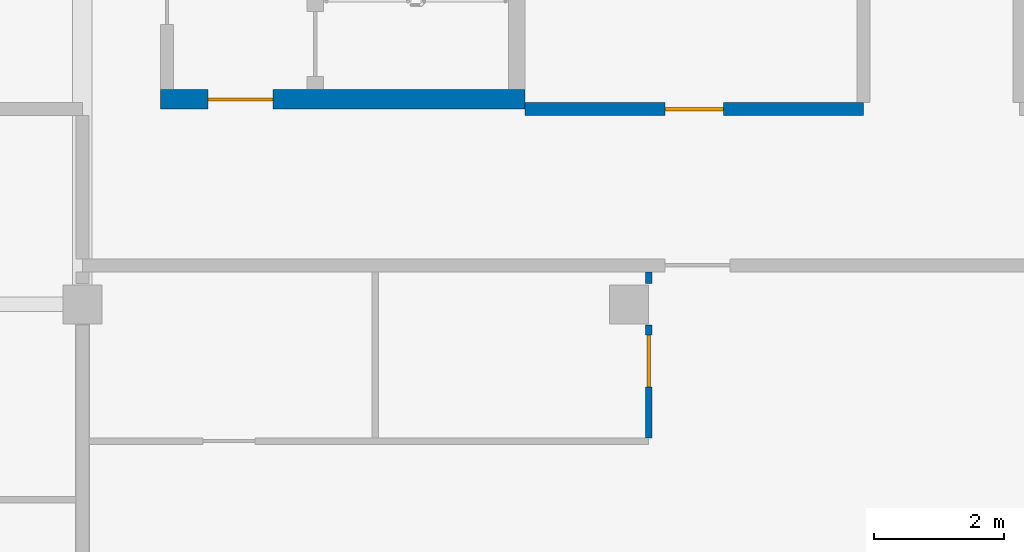
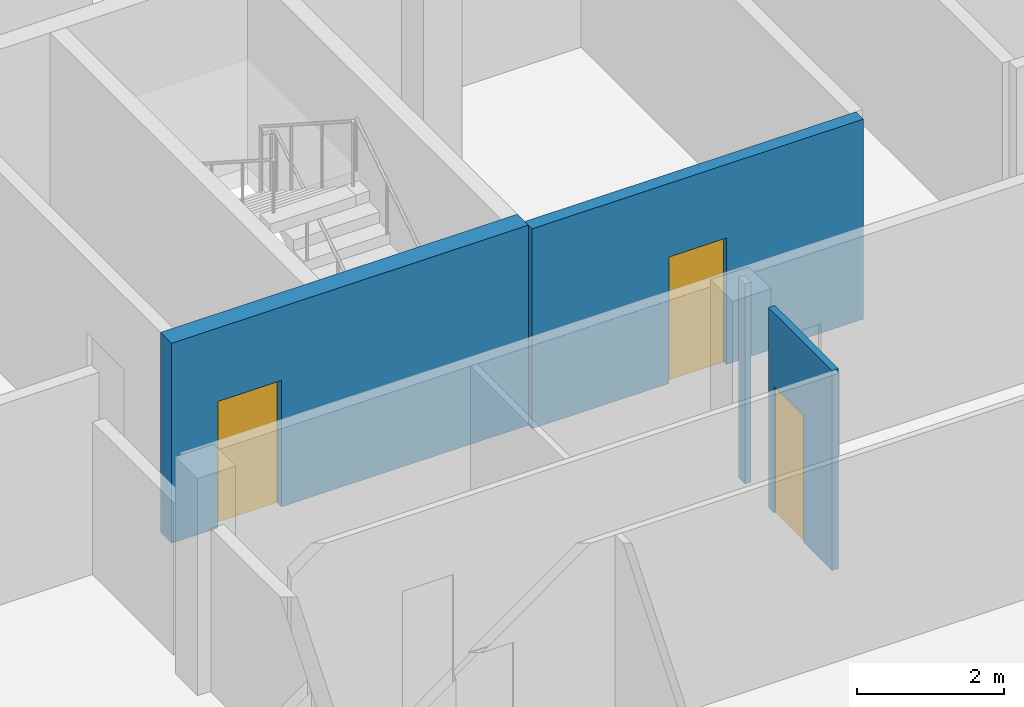
# One storey, part 18 of 28: 4 walls, 3 doors, 3 openings.
"""IFC4 building model written with IfcOpenShell, lengths in metres."""

import ifcopenshell
import ifcopenshell.guid

model = None  # the IFC model being written
_history = None  # IfcOwnerHistory: only IFC2X3 demands one
_inside = {}  # id of a spatial element -> (the spatial element, [elements in it])
_under = {}  # id of a project, library or spatial element -> (it, [spatial elements below it])
_declared = {}  # id of a project -> (the project, [libraries it declares])
_typed = {}  # id of a type object -> (the type object, [elements of that type])
_made_of = {}  # id of a material, layer set ... -> (it, [elements and type objects made of it])


def new_model(schema):
    """Start an empty IFC model of exactly this schema.

    Asked for "IFC4X3", IfcOpenShell would pick the latest addendum, in which some entities
    have other attributes; the version numbers below select the first issue.
    IFC2X3 requires an IfcOwnerHistory on every rooted entity: one is made here for all.
    """
    global model, _history
    if schema == "IFC4X3":
        model = ifcopenshell.file(schema_version=(4, 3, 0, 0))
    else:
        model = ifcopenshell.file(schema=schema)
    _inside.clear()
    _under.clear()
    _declared.clear()
    _typed.clear()
    _made_of.clear()
    _history = None
    if model.schema == "IFC2X3":
        org = make("IfcOrganization", Name="unknown")
        user = make(
            "IfcPersonAndOrganization",
            ThePerson=make("IfcPerson", FamilyName="unknown"),
            TheOrganization=org,
        )
        app = make(
            "IfcApplication",
            ApplicationDeveloper=org,
            Version="unknown",
            ApplicationFullName="unknown",
            ApplicationIdentifier="unknown",
        )
        _history = make(
            "IfcOwnerHistory",
            OwningUser=user,
            OwningApplication=app,
            ChangeAction="ADDED",
            CreationDate=0,
        )
    return model


def make(cls, **values):
    """One entity of the class cls with the attributes given. An attribute that is None is left unset."""
    return model.create_entity(
        cls, **{name: value for name, value in values.items() if value is not None}
    )


def rooted(cls, **values):
    """An entity with a GlobalId (a new one), such as an element, a storey or a relation."""
    return make(cls, GlobalId=ifcopenshell.guid.new(), OwnerHistory=_history, **values)


def si_unit(unit_type, name, prefix=None):
    """IfcSIUnit, for example si_unit("LENGTHUNIT", "METRE", prefix="MILLI")."""
    return make("IfcSIUnit", UnitType=unit_type, Prefix=prefix, Name=name)


def assignment(units):
    """IfcUnitAssignment: the units of a project."""
    return None if units is None else make("IfcUnitAssignment", Units=units)


def point(xyz):
    """IfcCartesianPoint."""
    return None if xyz is None else make("IfcCartesianPoint", Coordinates=xyz)


def direction(xyz):
    """IfcDirection."""
    return None if xyz is None else make("IfcDirection", DirectionRatios=xyz)


def frame(location, z_axis=None, x_axis=None):
    """IfcAxis2Placement3D, a coordinate frame: its origin and axes. An axis left out is left unset."""
    return make(
        "IfcAxis2Placement3D",
        Location=point(location),
        Axis=direction(z_axis),
        RefDirection=direction(x_axis),
    )


def frame_2d(location, x_axis=None):
    """IfcAxis2Placement2D, a coordinate frame in the plane: its origin and x axis."""
    return make(
        "IfcAxis2Placement2D", Location=point(location), RefDirection=direction(x_axis)
    )


def origin():
    """The frame at (0, 0, 0) with its axes left unset."""
    return frame((0.0, 0.0, 0.0))


def place(relative_to, where):
    """IfcLocalPlacement: puts the frame where relative to a parent placement (None: the world)."""
    return make(
        "IfcLocalPlacement", PlacementRelTo=relative_to, RelativePlacement=where
    )


def context(
    kind, dimensions, precision=None, world=None, true_north=None, identifier=None
):
    """IfcGeometricRepresentationContext, for example the 3D "Model" context."""
    return make(
        "IfcGeometricRepresentationContext",
        ContextIdentifier=identifier,
        ContextType=kind,
        CoordinateSpaceDimension=dimensions,
        Precision=precision,
        WorldCoordinateSystem=world,
        TrueNorth=true_north,
    )


def subcontext(parent, identifier, kind, view, scale=None):
    """IfcGeometricRepresentationSubContext, for example "Body" below "Model"."""
    return make(
        "IfcGeometricRepresentationSubContext",
        ContextIdentifier=identifier,
        ContextType=kind,
        ParentContext=parent,
        TargetScale=scale,
        TargetView=view,
    )


def project(units=None, contexts=None):
    """IfcProject with its units and contexts."""
    return rooted(
        "IfcProject",
        Name="project",
        RepresentationContexts=contexts,
        UnitsInContext=assignment(units),
    )


def spatial(cls, under=None, at=None, **own):
    """A site, building, storey or space (cls), placed at a placement, below another one or the project."""
    s = rooted(cls, ObjectPlacement=at, **own)
    if under is not None:
        _under.setdefault(under.id(), (under, []))[1].append(s)
    return s


def profile(cls, at=None, kind="AREA", **sizes):
    """A parametric profile (cls). Its sizes go by their IFC names, for example OverallWidth=200.0."""
    return make(cls, ProfileType=kind, Position=at, **sizes)


def rectangle(**sizes):
    """IfcRectangleProfileDef."""
    return profile("IfcRectangleProfileDef", **sizes)


def extrude(swept, where, along, depth):
    """IfcExtrudedAreaSolid: the profile swept, set in the frame where, extruded along a direction by depth."""
    return make(
        "IfcExtrudedAreaSolid",
        SweptArea=swept,
        Position=where,
        ExtrudedDirection=direction(along),
        Depth=depth,
    )


def shape(context_of_items, identifier, shape_type, items):
    """IfcShapeRepresentation: the items that make up one representation, for example the "Body"."""
    return make(
        "IfcShapeRepresentation",
        ContextOfItems=context_of_items,
        RepresentationIdentifier=identifier,
        RepresentationType=shape_type,
        Items=items,
    )


def material(Name=None, Category=None):
    """IfcMaterial."""
    return make("IfcMaterial", Name=Name, Category=Category)


def layer(
    of_material, thickness, ventilated=None, Name=None, Category=None, Priority=None
):
    """IfcMaterialLayer: one layer of a wall or slab, of a material (None: an air gap)."""
    return make(
        "IfcMaterialLayer",
        Material=of_material,
        LayerThickness=thickness,
        IsVentilated=ventilated,
        Name=Name,
        Category=Category,
        Priority=Priority,
    )


def layer_set(layers, Name=None):
    """IfcMaterialLayerSet."""
    return make("IfcMaterialLayerSet", MaterialLayers=layers, LayerSetName=Name)


def made_of(thing, what):
    """Note that an element or type object is made of a material, layer set ...; save() writes the relation."""
    if what is not None:
        _made_of.setdefault(what.id(), (what, []))[1].append(thing)
    return thing


def type_object(cls, material=None, **own):
    """A type object (cls), such as IfcWallType, which elements share."""
    return made_of(rooted(cls, **own), material)


def element(
    cls,
    number,
    at=None,
    inside=None,
    cuts=None,
    type_object=None,
    material=None,
    context=None,
    identifier="Body",
    shape_type=None,
    held_by="IfcProductDefinitionShape",
    body=None,
    shapes=None,
    **own,
):
    """One element of the class cls, such as IfcWall. Its Tag is "e" and its number.

    at: its placement. inside: the storey or other place that contains it. cuts: it is an
    opening in that element (IfcRelVoidsElement). A single representation is given by context,
    identifier, shape_type and body (its items); several are given by shapes. held_by: the class
    of the entity that holds the representations. save() writes the other relations.
    """
    e = rooted(cls, Tag="e%d" % number, ObjectPlacement=at, **own)
    if body is not None:
        shapes = [shape(context, identifier, shape_type, body)]
    if shapes is not None:
        e.Representation = make(held_by, Representations=shapes)
    if inside is not None:
        _inside.setdefault(inside.id(), (inside, []))[1].append(e)
    if cuts is not None:
        rooted(
            "IfcRelVoidsElement", RelatingBuildingElement=cuts, RelatedOpeningElement=e
        )
    if type_object is not None:
        _typed.setdefault(type_object.id(), (type_object, []))[1].append(e)
    return made_of(e, material)


def fill(opening, filler):
    """IfcRelFillsElement: the door or window that sits in an opening."""
    return rooted(
        "IfcRelFillsElement",
        RelatingOpeningElement=opening,
        RelatedBuildingElement=filler,
    )


def aggregate(whole, parts):
    """IfcRelAggregates: a whole, such as a stair, and the parts it consists of."""
    return rooted("IfcRelAggregates", RelatingObject=whole, RelatedObjects=parts)


def save(model, path):
    """Write the relations noted so far, then the file.

    IfcRelAggregates (storeys below a building ...), IfcRelContainedInSpatialStructure (elements
    in a storey), IfcRelDefinesByType, IfcRelAssociatesMaterial and IfcRelDeclares: one each for
    every whole, place, type object, material and project.
    """
    for whole, parts in _under.values():
        aggregate(whole, parts)
    for where, things in _inside.values():
        rooted(
            "IfcRelContainedInSpatialStructure",
            RelatedElements=things,
            RelatingStructure=where,
        )
    for kind, things in _typed.values():
        rooted("IfcRelDefinesByType", RelatedObjects=things, RelatingType=kind)
    for what, things in _made_of.values():
        rooted("IfcRelAssociatesMaterial", RelatedObjects=things, RelatingMaterial=what)
    for by, libraries in _declared.values():
        rooted("IfcRelDeclares", RelatingContext=by, RelatedDefinitions=libraries)
    model.write(path)


model = new_model("IFC4")

# Units and contexts
model_context = context("Model", 3, precision=1e-05, world=origin(), true_north=direction((0.0, 1.0)))
body_context = subcontext(model_context, "Body", "Model", "MODEL_VIEW")
ifc_project = project(units=[si_unit("LENGTHUNIT", "METRE"), si_unit("AREAUNIT", "SQUARE_METRE"), si_unit("VOLUMEUNIT", "CUBIC_METRE"), si_unit("PLANEANGLEUNIT", "RADIAN"), si_unit("MASSUNIT", "GRAM", prefix="KILO")], contexts=[model_context])

# Site, building, storey
site_placement = place(None, origin())
site = spatial("IfcSite", under=ifc_project, at=site_placement, CompositionType="ELEMENT")
building_placement = place(site_placement, origin())
building = spatial("IfcBuilding", under=site, at=building_placement, Name="Saffron Gate Tower", CompositionType="ELEMENT")
storey_placement = place(building_placement, frame((0.0, 0.0, 241.5)))
storey = spatial("IfcBuildingStorey", under=building, at=storey_placement, Name="L59", CompositionType="ELEMENT", Elevation=241.5)

# Wall, opening, door
ifc_material_1 = material(Name="Concrete C60", Category="concrete")
ifc_layer_1 = layer(ifc_material_1, 0.300048828125)
ifc_layer_set_1 = layer_set([ifc_layer_1], Name="CW17 RC core wall 300 C60")
wall_type_1 = type_object("IfcWallType", Name="CW17 RC core wall 300 C60", PredefinedType="SOLIDWALL", material=ifc_layer_set_1)
wall_1_placement = place(storey_placement, frame((101.39990234375, 43.35009765625, 0.0), z_axis=(0.0, 0.0, 1.0), x_axis=(1.0, 0.0, 0.0)))
wall_1 = element("IfcWall", 1, at=wall_1_placement, inside=storey, type_object=wall_type_1, Name="Wall CW17-L59-E-1", PredefinedType="SOLIDWALL", context=body_context, shape_type="SweptSolid", body=[
    extrude(rectangle(XDim=5.60009765625, YDim=0.300048828125, at=frame_2d((2.800048828125, 0.0))), origin(), (0.0, 0.0, 1.0), 3.320068359375),
])
opening_1_placement = place(wall_1_placement, frame((0.72509765625, 0.0, 0.0)))
opening_1 = element("IfcOpeningElement", 2, at=opening_1_placement, cuts=wall_1, Name="Opening CR-21", PredefinedType="OPENING", context=body_context, shape_type="SweptSolid", body=[
    extrude(rectangle(XDim=1.0, YDim=2.10009765625, at=frame_2d((0.5, 1.050048828125))), frame((0.0, 0.16015625, 0.0), z_axis=(0.0, -1.0, 0.0), x_axis=(1.0, 0.0, 0.0)), (0.0, 0.0, 1.0), 0.320068359375),
])
ifc_material_2 = material(Name="Steel fire door set", Category="steel")
door_type_1 = type_object("IfcDoorType", Name="CD4 Lobby door 1000x2100 EI 120", OperationType="NOTDEFINED", PredefinedType="DOOR", material=ifc_material_2)
door_1_placement = place(opening_1_placement, origin())
door_1 = element("IfcDoor", 3, at=door_1_placement, inside=storey, type_object=door_type_1, Name="DOOR CR-21", OperationType="SINGLE_SWING_RIGHT", OverallHeight=2.10009765625, OverallWidth=1.0, PredefinedType="DOOR", context=body_context, shape_type="SweptSolid", body=[
    extrude(rectangle(XDim=1.0, YDim=2.10009765625, at=frame_2d((0.5, 1.050048828125))), frame((0.0, 0.02490234375, 0.0), z_axis=(0.0, -1.0, 0.0), x_axis=(1.0, 0.0, 0.0)), (0.0, 0.0, 1.0), 0.050048828125),
])
fill(opening_1, door_1)

ifc_material_3 = material(Name="Plasterboard on steel studs", Category="steel")
ifc_layer_2 = layer(ifc_material_3, 0.10009765625)
ifc_layer_set_2 = layer_set([ifc_layer_2], Name="PW1 Partition 100")
wall_type_2 = type_object("IfcWallType", Name="PW1 Partition 100", PredefinedType="PARTITIONING", material=ifc_layer_set_2)
wall_2_placement = place(storey_placement, frame((108.89990234375, 38.14990234375, 0.0), z_axis=(0.0, 0.0, 1.0), x_axis=(0.0, 1.0, 0.0)))
wall_2 = element("IfcWall", 4, at=wall_2_placement, inside=storey, type_object=wall_type_2, Name="Partition D4-99", PredefinedType="PARTITIONING", context=body_context, shape_type="SweptSolid", body=[
    extrude(rectangle(XDim=1.72998046875, YDim=0.10009765625, at=frame_2d((0.864990234375, 0.0))), origin(), (0.0, 0.0, 1.0), 3.320068359375),
])
opening_2_placement = place(wall_2_placement, frame((0.780029296875, 0.0, 0.0)))
opening_2 = element("IfcOpeningElement", 5, at=opening_2_placement, cuts=wall_2, Name="Opening D4-42", PredefinedType="OPENING", context=body_context, shape_type="SweptSolid", body=[
    extrude(rectangle(XDim=0.800048828125, YDim=2.10009765625, at=frame_2d((0.39990234375, 1.050048828125))), frame((0.0, 0.06005859375, 0.0), z_axis=(0.0, -1.0, 0.0), x_axis=(1.0, 0.0, 0.0)), (0.0, 0.0, 1.0), 0.1201171875),
])
ifc_material_4 = material(Name="Timber door set", Category="wood")
door_type_2 = type_object("IfcDoorType", Name="RD2 Bathroom door 800x2100", OperationType="NOTDEFINED", PredefinedType="DOOR", material=ifc_material_4)
door_2_placement = place(opening_2_placement, origin())
door_2 = element("IfcDoor", 6, at=door_2_placement, inside=storey, type_object=door_type_2, Name="Door D4-42", OperationType="SINGLE_SWING_RIGHT", OverallHeight=2.10009765625, OverallWidth=0.800048828125, PredefinedType="DOOR", context=body_context, shape_type="SweptSolid", body=[
    extrude(rectangle(XDim=0.800048828125, YDim=2.10009765625, at=frame_2d((0.39990234375, 1.050048828125))), frame((0.0, 0.02490234375, 0.0), z_axis=(0.0, -1.0, 0.0), x_axis=(1.0, 0.0, 0.0)), (0.0, 0.0, 1.0), 0.050048828125),
])
fill(opening_2, door_2)

# Wall
wall_3_placement = place(storey_placement, frame((108.89990234375, 40.699951171875, 0.0), z_axis=(0.0, 0.0, 1.0), x_axis=(0.0, -1.0, 0.0)))
element("IfcWall", 7, at=wall_3_placement, inside=storey, type_object=wall_type_2, Name="Partition D4-100", PredefinedType="PARTITIONING", context=body_context, shape_type="SweptSolid", body=[
    extrude(rectangle(XDim=0.179931640625, YDim=0.10009765625, at=frame_2d((0.08984375, 0.0))), origin(), (0.0, 0.0, 1.0), 3.320068359375),
])

# Wall, opening, door
ifc_material_5 = material(Name="Clay brick masonry, rendered", Category="masonry")
ifc_layer_3 = layer(ifc_material_5, 0.199951171875)
ifc_layer_set_3 = layer_set([ifc_layer_3], Name="PW3 Corridor wall 200")
wall_type_3 = type_object("IfcWallType", Name="PW3 Corridor wall 200", PredefinedType="PARTITIONING", material=ifc_layer_set_3)
wall_4_placement = place(storey_placement, frame((107.0, 43.199951171875, 0.0), z_axis=(0.0, 0.0, 1.0), x_axis=(1.0, 0.0, 0.0)))
wall_4 = element("IfcWall", 8, at=wall_4_placement, inside=storey, type_object=wall_type_3, Name="Wall D4-19", PredefinedType="PARTITIONING", context=body_context, shape_type="SweptSolid", body=[
    extrude(rectangle(XDim=5.199951171875, YDim=0.199951171875, at=frame_2d((2.60009765625, 0.0))), origin(), (0.0, 0.0, 1.0), 3.320068359375),
])
opening_3_placement = place(wall_4_placement, frame((2.14990234375, 0.0, 0.0)))
opening_3 = element("IfcOpeningElement", 9, at=opening_3_placement, cuts=wall_4, Name="Opening D4-51", PredefinedType="OPENING", context=body_context, shape_type="SweptSolid", body=[
    extrude(rectangle(XDim=0.89990234375, YDim=2.10009765625, at=frame_2d((0.449951171875, 1.050048828125))), frame((0.0, 0.10986328125, 0.0), z_axis=(0.0, -1.0, 0.0), x_axis=(1.0, 0.0, 0.0)), (0.0, 0.0, 1.0), 0.219970703125),
])
door_type_3 = type_object("IfcDoorType", Name="SD1 Service door 900x2100", OperationType="NOTDEFINED", PredefinedType="DOOR", material=ifc_material_2)
door_3_placement = place(opening_3_placement, origin())
door_3 = element("IfcDoor", 10, at=door_3_placement, inside=storey, type_object=door_type_3, Name="Door D4-51", OperationType="SINGLE_SWING_LEFT", OverallHeight=2.10009765625, OverallWidth=0.89990234375, PredefinedType="DOOR", context=body_context, shape_type="SweptSolid", body=[
    extrude(rectangle(XDim=0.89990234375, YDim=2.10009765625, at=frame_2d((0.449951171875, 1.050048828125))), frame((0.0, 0.02490234375, 0.0), z_axis=(0.0, -1.0, 0.0), x_axis=(1.0, 0.0, 0.0)), (0.0, 0.0, 1.0), 0.050048828125),
])
fill(opening_3, door_3)

save(model, "model.ifc")
